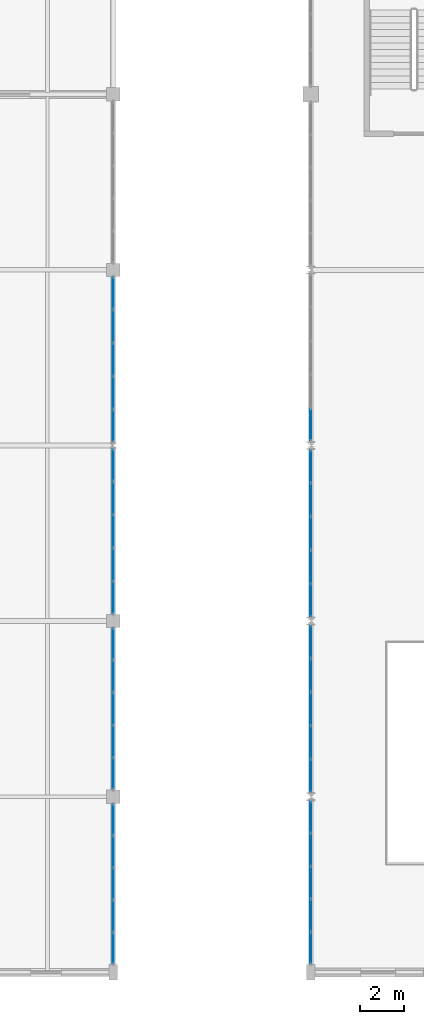
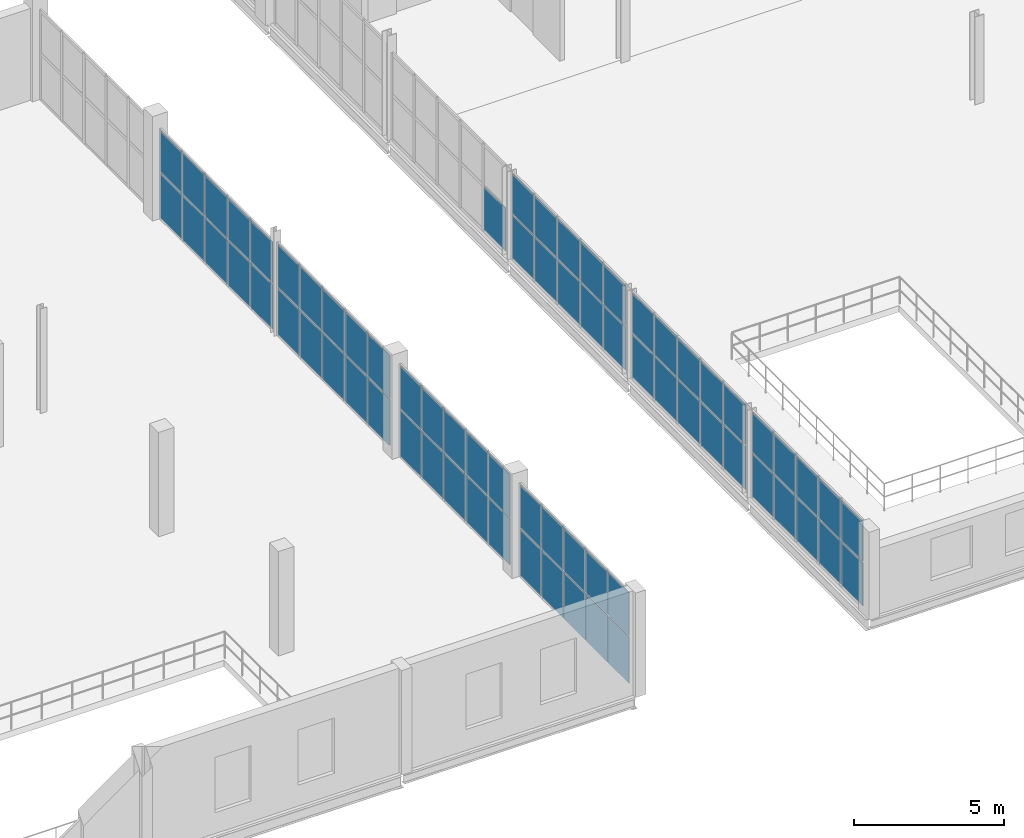
# One storey, part 45 of 73: 71 plates, 8 elements without a shape of their own.
"""IFC4 building model written with IfcOpenShell, lengths in metres."""

from ifc_helpers import new_model, si_unit, direction, frame, origin, origin_2d, place, context, subcontext, project, spatial, rectangle, extrude, material, layer, layer_set, type_object, element, aggregate, save


model = new_model("IFC4")

# Units and contexts
model_context = context("Model", 3, precision=1e-05, world=origin(), true_north=direction((0.0, 1.0)))
body_context = subcontext(model_context, "Body", "Model", "MODEL_VIEW")
ifc_project = project(units=[si_unit("LENGTHUNIT", "METRE"), si_unit("AREAUNIT", "SQUARE_METRE"), si_unit("VOLUMEUNIT", "CUBIC_METRE"), si_unit("PLANEANGLEUNIT", "RADIAN"), si_unit("MASSUNIT", "GRAM", prefix="KILO")], contexts=[model_context])

# Site, building, storey
site_placement = place(None, origin())
site = spatial("IfcSite", under=ifc_project, at=site_placement, CompositionType="ELEMENT")
building_placement = place(site_placement, origin())
building = spatial("IfcBuilding", under=site, at=building_placement, Name="Marnock Terrace Opera House", CompositionType="ELEMENT")
storey_placement = place(building_placement, frame((0.0, 0.0, 14.699951171875)))
storey = spatial("IfcBuildingStorey", under=building, at=storey_placement, Name="L03", CompositionType="ELEMENT", Elevation=14.699951171875)

# Curtain wall, plates
ifc_material_1 = material(Name="Anodised architectural bronze aluminium framing", Category="aluminium")
ifc_layer_1 = layer(ifc_material_1, 0.159912109375)
ifc_layer_set_1 = layer_set([ifc_layer_1], Name="Anodised architectural bronze aluminium framing")
curtain_wall_type_1 = type_object("IfcCurtainWallType", Name="CW-FOYER-80x42", PredefinedType="NOTDEFINED", material=ifc_layer_set_1)
curtain_wall_1_placement = place(storey_placement, origin())
curtain_wall_1 = element("IfcCurtainWall", 1, at=curtain_wall_1_placement, inside=storey, type_object=curtain_wall_type_1, Name="L03 glazed Beaux-Arts colonnade curtain wall CW-V1W-L03-01", PredefinedType="NOTDEFINED")
ifc_material_2 = material(Name="Double-glazed acoustic low-E laminated glass", Category="glass")
ifc_layer_2 = layer(ifc_material_2, 0.028076171875)
ifc_layer_set_2 = layer_set([ifc_layer_2], Name="Double-glazed acoustic low-E laminated glass")
plate_type = type_object("IfcPlateType", Name="CWP-GLZ-28", PredefinedType="CURTAIN_PANEL", material=ifc_layer_set_2)
plate_1_placement = place(storey_placement, frame((55.0, 9.109375, 0.06005859375), z_axis=(0.0, 0.0, 1.0), x_axis=(0.0, 1.0, 0.0)))
plate_1 = element("IfcPlate", 2, at=plate_1_placement, type_object=plate_type, Name="CW-62 panel 1.1", PredefinedType="CURTAIN_PANEL", context=body_context, shape_type="SweptSolid", body=[
    extrude(rectangle(XDim=1.406494140625, YDim=0.028076171875, at=origin_2d()), origin(), (0.0, 0.0, 1.0), 1.75390625),
])
plate_2_placement = place(storey_placement, frame((55.0, 9.109375, 1.8740234375), z_axis=(0.0, 0.0, 1.0), x_axis=(0.0, 1.0, 0.0)))
plate_2 = element("IfcPlate", 3, at=plate_2_placement, type_object=plate_type, Name="CW-62 panel 1.2", PredefinedType="CURTAIN_PANEL", context=body_context, shape_type="SweptSolid", body=[
    extrude(rectangle(XDim=1.406494140625, YDim=0.028076171875, at=origin_2d()), origin(), (0.0, 0.0, 1.0), 1.612060546875),
])
plate_3_placement = place(storey_placement, frame((55.0, 10.5908203125, 0.06005859375), z_axis=(0.0, 0.0, 1.0), x_axis=(0.0, 1.0, 0.0)))
plate_3 = element("IfcPlate", 4, at=plate_3_placement, type_object=plate_type, Name="CW-62 panel 2.1", PredefinedType="CURTAIN_PANEL", context=body_context, shape_type="SweptSolid", body=[
    extrude(rectangle(XDim=1.4365234375, YDim=0.028076171875, at=origin_2d()), origin(), (0.0, 0.0, 1.0), 1.75390625),
])
plate_4_placement = place(storey_placement, frame((55.0, 10.5908203125, 1.8740234375), z_axis=(0.0, 0.0, 1.0), x_axis=(0.0, 1.0, 0.0)))
plate_4 = element("IfcPlate", 5, at=plate_4_placement, type_object=plate_type, Name="CW-62 panel 2.2", PredefinedType="CURTAIN_PANEL", context=body_context, shape_type="SweptSolid", body=[
    extrude(rectangle(XDim=1.4365234375, YDim=0.028076171875, at=origin_2d()), origin(), (0.0, 0.0, 1.0), 1.612060546875),
])
plate_5_placement = place(storey_placement, frame((55.0, 12.08740234375, 0.06005859375), z_axis=(0.0, 0.0, 1.0), x_axis=(0.0, 1.0, 0.0)))
plate_5 = element("IfcPlate", 6, at=plate_5_placement, type_object=plate_type, Name="CW-62 panel 3.1", PredefinedType="CURTAIN_PANEL", context=body_context, shape_type="SweptSolid", body=[
    extrude(rectangle(XDim=1.4365234375, YDim=0.028076171875, at=origin_2d()), origin(), (0.0, 0.0, 1.0), 1.75390625),
])
plate_6_placement = place(storey_placement, frame((55.0, 12.08740234375, 1.8740234375), z_axis=(0.0, 0.0, 1.0), x_axis=(0.0, 1.0, 0.0)))
plate_6 = element("IfcPlate", 7, at=plate_6_placement, type_object=plate_type, Name="CW-62 panel 3.2", PredefinedType="CURTAIN_PANEL", context=body_context, shape_type="SweptSolid", body=[
    extrude(rectangle(XDim=1.4365234375, YDim=0.028076171875, at=origin_2d()), origin(), (0.0, 0.0, 1.0), 1.612060546875),
])
plate_7_placement = place(storey_placement, frame((55.0, 13.583984375, 0.06005859375), z_axis=(0.0, 0.0, 1.0), x_axis=(0.0, 1.0, 0.0)))
plate_7 = element("IfcPlate", 8, at=plate_7_placement, type_object=plate_type, Name="CW-62 panel 4.1", PredefinedType="CURTAIN_PANEL", context=body_context, shape_type="SweptSolid", body=[
    extrude(rectangle(XDim=1.4365234375, YDim=0.028076171875, at=origin_2d()), origin(), (0.0, 0.0, 1.0), 1.75390625),
])
plate_8_placement = place(storey_placement, frame((55.0, 13.583984375, 1.8740234375), z_axis=(0.0, 0.0, 1.0), x_axis=(0.0, 1.0, 0.0)))
plate_8 = element("IfcPlate", 9, at=plate_8_placement, type_object=plate_type, Name="CW-62 panel 4.2", PredefinedType="CURTAIN_PANEL", context=body_context, shape_type="SweptSolid", body=[
    extrude(rectangle(XDim=1.4365234375, YDim=0.028076171875, at=origin_2d()), origin(), (0.0, 0.0, 1.0), 1.612060546875),
])
plate_9_placement = place(storey_placement, frame((55.0, 15.065673828125, 0.06005859375), z_axis=(0.0, 0.0, 1.0), x_axis=(0.0, 1.0, 0.0)))
plate_9 = element("IfcPlate", 10, at=plate_9_placement, type_object=plate_type, Name="CW-62 panel 5.1", PredefinedType="CURTAIN_PANEL", context=body_context, shape_type="SweptSolid", body=[
    extrude(rectangle(XDim=1.406494140625, YDim=0.028076171875, at=origin_2d()), origin(), (0.0, 0.0, 1.0), 1.75390625),
])
plate_10_placement = place(storey_placement, frame((55.0, 15.065673828125, 1.8740234375), z_axis=(0.0, 0.0, 1.0), x_axis=(0.0, 1.0, 0.0)))
plate_10 = element("IfcPlate", 11, at=plate_10_placement, type_object=plate_type, Name="CW-62 panel 5.2", PredefinedType="CURTAIN_PANEL", context=body_context, shape_type="SweptSolid", body=[
    extrude(rectangle(XDim=1.406494140625, YDim=0.028076171875, at=origin_2d()), origin(), (0.0, 0.0, 1.0), 1.612060546875),
])
aggregate(curtain_wall_1, [plate_1, plate_2, plate_3, plate_4, plate_5, plate_6, plate_7, plate_8, plate_9, plate_10])

curtain_wall_2_placement = place(storey_placement, origin())
curtain_wall_2 = element("IfcCurtainWall", 12, at=curtain_wall_2_placement, inside=storey, type_object=curtain_wall_type_1, Name="L03 glazed Beaux-Arts colonnade curtain wall CW-V1W-L03-02", PredefinedType="NOTDEFINED")
plate_11_placement = place(storey_placement, frame((55.0, 16.951904296875, 0.06005859375), z_axis=(0.0, 0.0, 1.0), x_axis=(0.0, 1.0, 0.0)))
plate_11 = element("IfcPlate", 13, at=plate_11_placement, type_object=plate_type, Name="CW-62 panel 1.1", PredefinedType="CURTAIN_PANEL", context=body_context, shape_type="SweptSolid", body=[
    extrude(rectangle(XDim=1.441650390625, YDim=0.028076171875, at=origin_2d()), origin(), (0.0, 0.0, 1.0), 1.75390625),
])
plate_12_placement = place(storey_placement, frame((55.0, 16.951904296875, 1.8740234375), z_axis=(0.0, 0.0, 1.0), x_axis=(0.0, 1.0, 0.0)))
plate_12 = element("IfcPlate", 14, at=plate_12_placement, type_object=plate_type, Name="CW-62 panel 1.2", PredefinedType="CURTAIN_PANEL", context=body_context, shape_type="SweptSolid", body=[
    extrude(rectangle(XDim=1.441650390625, YDim=0.028076171875, at=origin_2d()), origin(), (0.0, 0.0, 1.0), 1.612060546875),
])
plate_13_placement = place(storey_placement, frame((55.0, 18.468505859375, 0.06005859375), z_axis=(0.0, 0.0, 1.0), x_axis=(0.0, 1.0, 0.0)))
plate_13 = element("IfcPlate", 15, at=plate_13_placement, type_object=plate_type, Name="CW-62 panel 2.1", PredefinedType="CURTAIN_PANEL", context=body_context, shape_type="SweptSolid", body=[
    extrude(rectangle(XDim=1.4716796875, YDim=0.028076171875, at=origin_2d()), origin(), (0.0, 0.0, 1.0), 1.75390625),
])
plate_14_placement = place(storey_placement, frame((55.0, 18.468505859375, 1.8740234375), z_axis=(0.0, 0.0, 1.0), x_axis=(0.0, 1.0, 0.0)))
plate_14 = element("IfcPlate", 16, at=plate_14_placement, type_object=plate_type, Name="CW-62 panel 2.2", PredefinedType="CURTAIN_PANEL", context=body_context, shape_type="SweptSolid", body=[
    extrude(rectangle(XDim=1.4716796875, YDim=0.028076171875, at=origin_2d()), origin(), (0.0, 0.0, 1.0), 1.612060546875),
])
plate_15_placement = place(storey_placement, frame((55.0, 20.0, 0.06005859375), z_axis=(0.0, 0.0, 1.0), x_axis=(0.0, 1.0, 0.0)))
plate_15 = element("IfcPlate", 17, at=plate_15_placement, type_object=plate_type, Name="CW-62 panel 3.1", PredefinedType="CURTAIN_PANEL", context=body_context, shape_type="SweptSolid", body=[
    extrude(rectangle(XDim=1.4716796875, YDim=0.028076171875, at=origin_2d()), origin(), (0.0, 0.0, 1.0), 1.75390625),
])
plate_16_placement = place(storey_placement, frame((55.0, 20.0, 1.8740234375), z_axis=(0.0, 0.0, 1.0), x_axis=(0.0, 1.0, 0.0)))
plate_16 = element("IfcPlate", 18, at=plate_16_placement, type_object=plate_type, Name="CW-62 panel 3.2", PredefinedType="CURTAIN_PANEL", context=body_context, shape_type="SweptSolid", body=[
    extrude(rectangle(XDim=1.4716796875, YDim=0.028076171875, at=origin_2d()), origin(), (0.0, 0.0, 1.0), 1.612060546875),
])
plate_17_placement = place(storey_placement, frame((55.0, 21.531494140625, 0.06005859375), z_axis=(0.0, 0.0, 1.0), x_axis=(0.0, 1.0, 0.0)))
plate_17 = element("IfcPlate", 19, at=plate_17_placement, type_object=plate_type, Name="CW-62 panel 4.1", PredefinedType="CURTAIN_PANEL", context=body_context, shape_type="SweptSolid", body=[
    extrude(rectangle(XDim=1.4716796875, YDim=0.028076171875, at=origin_2d()), origin(), (0.0, 0.0, 1.0), 1.75390625),
])
plate_18_placement = place(storey_placement, frame((55.0, 21.531494140625, 1.8740234375), z_axis=(0.0, 0.0, 1.0), x_axis=(0.0, 1.0, 0.0)))
plate_18 = element("IfcPlate", 20, at=plate_18_placement, type_object=plate_type, Name="CW-62 panel 4.2", PredefinedType="CURTAIN_PANEL", context=body_context, shape_type="SweptSolid", body=[
    extrude(rectangle(XDim=1.4716796875, YDim=0.028076171875, at=origin_2d()), origin(), (0.0, 0.0, 1.0), 1.612060546875),
])
plate_19_placement = place(storey_placement, frame((55.0, 23.048095703125, 0.06005859375), z_axis=(0.0, 0.0, 1.0), x_axis=(0.0, 1.0, 0.0)))
plate_19 = element("IfcPlate", 21, at=plate_19_placement, type_object=plate_type, Name="CW-62 panel 5.1", PredefinedType="CURTAIN_PANEL", context=body_context, shape_type="SweptSolid", body=[
    extrude(rectangle(XDim=1.441650390625, YDim=0.028076171875, at=origin_2d()), origin(), (0.0, 0.0, 1.0), 1.75390625),
])
plate_20_placement = place(storey_placement, frame((55.0, 23.048095703125, 1.8740234375), z_axis=(0.0, 0.0, 1.0), x_axis=(0.0, 1.0, 0.0)))
plate_20 = element("IfcPlate", 22, at=plate_20_placement, type_object=plate_type, Name="CW-62 panel 5.2", PredefinedType="CURTAIN_PANEL", context=body_context, shape_type="SweptSolid", body=[
    extrude(rectangle(XDim=1.441650390625, YDim=0.028076171875, at=origin_2d()), origin(), (0.0, 0.0, 1.0), 1.612060546875),
])
aggregate(curtain_wall_2, [plate_11, plate_12, plate_13, plate_14, plate_15, plate_16, plate_17, plate_18, plate_19, plate_20])

curtain_wall_3_placement = place(storey_placement, origin())
curtain_wall_3 = element("IfcCurtainWall", 23, at=curtain_wall_3_placement, inside=storey, type_object=curtain_wall_type_1, Name="L03 glazed Beaux-Arts colonnade curtain wall CW-V1W-L03-03", PredefinedType="NOTDEFINED")
plate_21_placement = place(storey_placement, frame((55.0, 24.951904296875, 0.06005859375), z_axis=(0.0, 0.0, 1.0), x_axis=(0.0, 1.0, 0.0)))
plate_21 = element("IfcPlate", 24, at=plate_21_placement, type_object=plate_type, Name="CW-62 panel 1.1", PredefinedType="CURTAIN_PANEL", context=body_context, shape_type="SweptSolid", body=[
    extrude(rectangle(XDim=1.441650390625, YDim=0.028076171875, at=origin_2d()), origin(), (0.0, 0.0, 1.0), 1.75390625),
])
plate_22_placement = place(storey_placement, frame((55.0, 24.951904296875, 1.8740234375), z_axis=(0.0, 0.0, 1.0), x_axis=(0.0, 1.0, 0.0)))
plate_22 = element("IfcPlate", 25, at=plate_22_placement, type_object=plate_type, Name="CW-62 panel 1.2", PredefinedType="CURTAIN_PANEL", context=body_context, shape_type="SweptSolid", body=[
    extrude(rectangle(XDim=1.441650390625, YDim=0.028076171875, at=origin_2d()), origin(), (0.0, 0.0, 1.0), 1.612060546875),
])
plate_23_placement = place(storey_placement, frame((55.0, 26.468505859375, 0.06005859375), z_axis=(0.0, 0.0, 1.0), x_axis=(0.0, 1.0, 0.0)))
plate_23 = element("IfcPlate", 26, at=plate_23_placement, type_object=plate_type, Name="CW-62 panel 2.1", PredefinedType="CURTAIN_PANEL", context=body_context, shape_type="SweptSolid", body=[
    extrude(rectangle(XDim=1.4716796875, YDim=0.028076171875, at=origin_2d()), origin(), (0.0, 0.0, 1.0), 1.75390625),
])
plate_24_placement = place(storey_placement, frame((55.0, 26.468505859375, 1.8740234375), z_axis=(0.0, 0.0, 1.0), x_axis=(0.0, 1.0, 0.0)))
plate_24 = element("IfcPlate", 27, at=plate_24_placement, type_object=plate_type, Name="CW-62 panel 2.2", PredefinedType="CURTAIN_PANEL", context=body_context, shape_type="SweptSolid", body=[
    extrude(rectangle(XDim=1.4716796875, YDim=0.028076171875, at=origin_2d()), origin(), (0.0, 0.0, 1.0), 1.612060546875),
])
plate_25_placement = place(storey_placement, frame((55.0, 28.0, 0.06005859375), z_axis=(0.0, 0.0, 1.0), x_axis=(0.0, 1.0, 0.0)))
plate_25 = element("IfcPlate", 28, at=plate_25_placement, type_object=plate_type, Name="CW-62 panel 3.1", PredefinedType="CURTAIN_PANEL", context=body_context, shape_type="SweptSolid", body=[
    extrude(rectangle(XDim=1.4716796875, YDim=0.028076171875, at=origin_2d()), origin(), (0.0, 0.0, 1.0), 1.75390625),
])
plate_26_placement = place(storey_placement, frame((55.0, 28.0, 1.8740234375), z_axis=(0.0, 0.0, 1.0), x_axis=(0.0, 1.0, 0.0)))
plate_26 = element("IfcPlate", 29, at=plate_26_placement, type_object=plate_type, Name="CW-62 panel 3.2", PredefinedType="CURTAIN_PANEL", context=body_context, shape_type="SweptSolid", body=[
    extrude(rectangle(XDim=1.4716796875, YDim=0.028076171875, at=origin_2d()), origin(), (0.0, 0.0, 1.0), 1.612060546875),
])
plate_27_placement = place(storey_placement, frame((55.0, 29.531494140625, 0.06005859375), z_axis=(0.0, 0.0, 1.0), x_axis=(0.0, 1.0, 0.0)))
plate_27 = element("IfcPlate", 30, at=plate_27_placement, type_object=plate_type, Name="CW-62 panel 4.1", PredefinedType="CURTAIN_PANEL", context=body_context, shape_type="SweptSolid", body=[
    extrude(rectangle(XDim=1.4716796875, YDim=0.028076171875, at=origin_2d()), origin(), (0.0, 0.0, 1.0), 1.75390625),
])
plate_28_placement = place(storey_placement, frame((55.0, 29.531494140625, 1.8740234375), z_axis=(0.0, 0.0, 1.0), x_axis=(0.0, 1.0, 0.0)))
plate_28 = element("IfcPlate", 31, at=plate_28_placement, type_object=plate_type, Name="CW-62 panel 4.2", PredefinedType="CURTAIN_PANEL", context=body_context, shape_type="SweptSolid", body=[
    extrude(rectangle(XDim=1.4716796875, YDim=0.028076171875, at=origin_2d()), origin(), (0.0, 0.0, 1.0), 1.612060546875),
])
plate_29_placement = place(storey_placement, frame((55.0, 31.048095703125, 0.06005859375), z_axis=(0.0, 0.0, 1.0), x_axis=(0.0, 1.0, 0.0)))
plate_29 = element("IfcPlate", 32, at=plate_29_placement, type_object=plate_type, Name="CW-62 panel 5.1", PredefinedType="CURTAIN_PANEL", context=body_context, shape_type="SweptSolid", body=[
    extrude(rectangle(XDim=1.441650390625, YDim=0.028076171875, at=origin_2d()), origin(), (0.0, 0.0, 1.0), 1.75390625),
])
plate_30_placement = place(storey_placement, frame((55.0, 31.048095703125, 1.8740234375), z_axis=(0.0, 0.0, 1.0), x_axis=(0.0, 1.0, 0.0)))
plate_30 = element("IfcPlate", 33, at=plate_30_placement, type_object=plate_type, Name="CW-62 panel 5.2", PredefinedType="CURTAIN_PANEL", context=body_context, shape_type="SweptSolid", body=[
    extrude(rectangle(XDim=1.441650390625, YDim=0.028076171875, at=origin_2d()), origin(), (0.0, 0.0, 1.0), 1.612060546875),
])
aggregate(curtain_wall_3, [plate_21, plate_22, plate_23, plate_24, plate_25, plate_26, plate_27, plate_28, plate_29, plate_30])

# Curtain wall, plate
curtain_wall_4_placement = place(storey_placement, origin())
curtain_wall_4 = element("IfcCurtainWall", 34, at=curtain_wall_4_placement, inside=storey, type_object=curtain_wall_type_1, Name="L03 glazed Beaux-Arts colonnade curtain wall CW-V1W-L03-04", PredefinedType="NOTDEFINED")
plate_31_placement = place(storey_placement, frame((55.0, 32.951904296875, 0.06005859375), z_axis=(0.0, 0.0, 1.0), x_axis=(0.0, 1.0, 0.0)))
plate_31 = element("IfcPlate", 35, at=plate_31_placement, type_object=plate_type, Name="CW-62 panel 1.1", PredefinedType="CURTAIN_PANEL", context=body_context, shape_type="SweptSolid", body=[
    extrude(rectangle(XDim=1.441650390625, YDim=0.028076171875, at=origin_2d()), origin(), (0.0, 0.0, 1.0), 1.75390625),
])
aggregate(curtain_wall_4, [plate_31])

# Curtain wall, plates
ifc_layer_3 = layer(ifc_material_1, 0.159912109375)
ifc_layer_set_3 = layer_set([ifc_layer_3], Name="Anodised architectural bronze aluminium framing")
curtain_wall_type_2 = type_object("IfcCurtainWallType", Name="CW-COURT-80x42", PredefinedType="NOTDEFINED", material=ifc_layer_set_3)
curtain_wall_5_placement = place(storey_placement, origin())
curtain_wall_5 = element("IfcCurtainWall", 36, at=curtain_wall_5_placement, inside=storey, type_object=curtain_wall_type_2, Name="L03 glazed Beaux-Arts colonnade curtain wall CW-V3E-L03-01", PredefinedType="NOTDEFINED")
plate_32_placement = place(storey_placement, frame((46.0, 9.0966796875, 0.06005859375), z_axis=(0.0, 0.0, 1.0), x_axis=(0.0, 1.0, 0.0)))
plate_32 = element("IfcPlate", 37, at=plate_32_placement, type_object=plate_type, Name="CW-12 panel 1.1", PredefinedType="CURTAIN_PANEL", context=body_context, shape_type="SweptSolid", body=[
    extrude(rectangle(XDim=1.381591796875, YDim=0.028076171875, at=origin_2d()), origin(), (0.0, 0.0, 1.0), 1.88818359375),
])
plate_33_placement = place(storey_placement, frame((46.0, 9.0966796875, 2.00830078125), z_axis=(0.0, 0.0, 1.0), x_axis=(0.0, 1.0, 0.0)))
plate_33 = element("IfcPlate", 38, at=plate_33_placement, type_object=plate_type, Name="CW-12 panel 1.2", PredefinedType="CURTAIN_PANEL", context=body_context, shape_type="SweptSolid", body=[
    extrude(rectangle(XDim=1.381591796875, YDim=0.028076171875, at=origin_2d()), origin(), (0.0, 0.0, 1.0), 1.736083984375),
])
plate_34_placement = place(storey_placement, frame((46.0, 10.553466796875, 0.06005859375), z_axis=(0.0, 0.0, 1.0), x_axis=(0.0, 1.0, 0.0)))
plate_34 = element("IfcPlate", 39, at=plate_34_placement, type_object=plate_type, Name="CW-12 panel 2.1", PredefinedType="CURTAIN_PANEL", context=body_context, shape_type="SweptSolid", body=[
    extrude(rectangle(XDim=1.41162109375, YDim=0.028076171875, at=origin_2d()), origin(), (0.0, 0.0, 1.0), 1.88818359375),
])
plate_35_placement = place(storey_placement, frame((46.0, 10.553466796875, 2.00830078125), z_axis=(0.0, 0.0, 1.0), x_axis=(0.0, 1.0, 0.0)))
plate_35 = element("IfcPlate", 40, at=plate_35_placement, type_object=plate_type, Name="CW-12 panel 2.2", PredefinedType="CURTAIN_PANEL", context=body_context, shape_type="SweptSolid", body=[
    extrude(rectangle(XDim=1.41162109375, YDim=0.028076171875, at=origin_2d()), origin(), (0.0, 0.0, 1.0), 1.736083984375),
])
plate_36_placement = place(storey_placement, frame((46.0, 12.02490234375, 0.06005859375), z_axis=(0.0, 0.0, 1.0), x_axis=(0.0, 1.0, 0.0)))
plate_36 = element("IfcPlate", 41, at=plate_36_placement, type_object=plate_type, Name="CW-12 panel 3.1", PredefinedType="CURTAIN_PANEL", context=body_context, shape_type="SweptSolid", body=[
    extrude(rectangle(XDim=1.41162109375, YDim=0.028076171875, at=origin_2d()), origin(), (0.0, 0.0, 1.0), 1.88818359375),
])
plate_37_placement = place(storey_placement, frame((46.0, 12.02490234375, 2.00830078125), z_axis=(0.0, 0.0, 1.0), x_axis=(0.0, 1.0, 0.0)))
plate_37 = element("IfcPlate", 42, at=plate_37_placement, type_object=plate_type, Name="CW-12 panel 3.2", PredefinedType="CURTAIN_PANEL", context=body_context, shape_type="SweptSolid", body=[
    extrude(rectangle(XDim=1.41162109375, YDim=0.028076171875, at=origin_2d()), origin(), (0.0, 0.0, 1.0), 1.736083984375),
])
plate_38_placement = place(storey_placement, frame((46.0, 13.49658203125, 0.06005859375), z_axis=(0.0, 0.0, 1.0), x_axis=(0.0, 1.0, 0.0)))
plate_38 = element("IfcPlate", 43, at=plate_38_placement, type_object=plate_type, Name="CW-12 panel 4.1", PredefinedType="CURTAIN_PANEL", context=body_context, shape_type="SweptSolid", body=[
    extrude(rectangle(XDim=1.41162109375, YDim=0.028076171875, at=origin_2d()), origin(), (0.0, 0.0, 1.0), 1.88818359375),
])
plate_39_placement = place(storey_placement, frame((46.0, 13.49658203125, 2.00830078125), z_axis=(0.0, 0.0, 1.0), x_axis=(0.0, 1.0, 0.0)))
plate_39 = element("IfcPlate", 44, at=plate_39_placement, type_object=plate_type, Name="CW-12 panel 4.2", PredefinedType="CURTAIN_PANEL", context=body_context, shape_type="SweptSolid", body=[
    extrude(rectangle(XDim=1.41162109375, YDim=0.028076171875, at=origin_2d()), origin(), (0.0, 0.0, 1.0), 1.736083984375),
])
plate_40_placement = place(storey_placement, frame((46.0, 14.953125, 0.06005859375), z_axis=(0.0, 0.0, 1.0), x_axis=(0.0, 1.0, 0.0)))
plate_40 = element("IfcPlate", 45, at=plate_40_placement, type_object=plate_type, Name="CW-12 panel 5.1", PredefinedType="CURTAIN_PANEL", context=body_context, shape_type="SweptSolid", body=[
    extrude(rectangle(XDim=1.381591796875, YDim=0.028076171875, at=origin_2d()), origin(), (0.0, 0.0, 1.0), 1.88818359375),
])
plate_41_placement = place(storey_placement, frame((46.0, 14.953125, 2.00830078125), z_axis=(0.0, 0.0, 1.0), x_axis=(0.0, 1.0, 0.0)))
plate_41 = element("IfcPlate", 46, at=plate_41_placement, type_object=plate_type, Name="CW-12 panel 5.2", PredefinedType="CURTAIN_PANEL", context=body_context, shape_type="SweptSolid", body=[
    extrude(rectangle(XDim=1.381591796875, YDim=0.028076171875, at=origin_2d()), origin(), (0.0, 0.0, 1.0), 1.736083984375),
])
aggregate(curtain_wall_5, [plate_32, plate_33, plate_34, plate_35, plate_36, plate_37, plate_38, plate_39, plate_40, plate_41])

curtain_wall_6_placement = place(storey_placement, origin())
curtain_wall_6 = element("IfcCurtainWall", 47, at=curtain_wall_6_placement, inside=storey, type_object=curtain_wall_type_2, Name="L03 glazed Beaux-Arts colonnade curtain wall CW-V3E-L03-02", PredefinedType="NOTDEFINED")
plate_42_placement = place(storey_placement, frame((46.0, 17.0517578125, 0.06005859375), z_axis=(0.0, 0.0, 1.0), x_axis=(0.0, 1.0, 0.0)))
plate_42 = element("IfcPlate", 48, at=plate_42_placement, type_object=plate_type, Name="CW-12 panel 1.1", PredefinedType="CURTAIN_PANEL", context=body_context, shape_type="SweptSolid", body=[
    extrude(rectangle(XDim=1.3916015625, YDim=0.028076171875, at=origin_2d()), origin(), (0.0, 0.0, 1.0), 1.88818359375),
])
plate_43_placement = place(storey_placement, frame((46.0, 17.0517578125, 2.00830078125), z_axis=(0.0, 0.0, 1.0), x_axis=(0.0, 1.0, 0.0)))
plate_43 = element("IfcPlate", 49, at=plate_43_placement, type_object=plate_type, Name="CW-12 panel 1.2", PredefinedType="CURTAIN_PANEL", context=body_context, shape_type="SweptSolid", body=[
    extrude(rectangle(XDim=1.3916015625, YDim=0.028076171875, at=origin_2d()), origin(), (0.0, 0.0, 1.0), 1.736083984375),
])
plate_44_placement = place(storey_placement, frame((46.0, 18.518310546875, 0.06005859375), z_axis=(0.0, 0.0, 1.0), x_axis=(0.0, 1.0, 0.0)))
plate_44 = element("IfcPlate", 50, at=plate_44_placement, type_object=plate_type, Name="CW-12 panel 2.1", PredefinedType="CURTAIN_PANEL", context=body_context, shape_type="SweptSolid", body=[
    extrude(rectangle(XDim=1.421630859375, YDim=0.028076171875, at=origin_2d()), origin(), (0.0, 0.0, 1.0), 1.88818359375),
])
plate_45_placement = place(storey_placement, frame((46.0, 18.518310546875, 2.00830078125), z_axis=(0.0, 0.0, 1.0), x_axis=(0.0, 1.0, 0.0)))
plate_45 = element("IfcPlate", 51, at=plate_45_placement, type_object=plate_type, Name="CW-12 panel 2.2", PredefinedType="CURTAIN_PANEL", context=body_context, shape_type="SweptSolid", body=[
    extrude(rectangle(XDim=1.421630859375, YDim=0.028076171875, at=origin_2d()), origin(), (0.0, 0.0, 1.0), 1.736083984375),
])
plate_46_placement = place(storey_placement, frame((46.0, 20.0, 0.06005859375), z_axis=(0.0, 0.0, 1.0), x_axis=(0.0, 1.0, 0.0)))
plate_46 = element("IfcPlate", 52, at=plate_46_placement, type_object=plate_type, Name="CW-12 panel 3.1", PredefinedType="CURTAIN_PANEL", context=body_context, shape_type="SweptSolid", body=[
    extrude(rectangle(XDim=1.421630859375, YDim=0.028076171875, at=origin_2d()), origin(), (0.0, 0.0, 1.0), 1.88818359375),
])
plate_47_placement = place(storey_placement, frame((46.0, 20.0, 2.00830078125), z_axis=(0.0, 0.0, 1.0), x_axis=(0.0, 1.0, 0.0)))
plate_47 = element("IfcPlate", 53, at=plate_47_placement, type_object=plate_type, Name="CW-12 panel 3.2", PredefinedType="CURTAIN_PANEL", context=body_context, shape_type="SweptSolid", body=[
    extrude(rectangle(XDim=1.421630859375, YDim=0.028076171875, at=origin_2d()), origin(), (0.0, 0.0, 1.0), 1.736083984375),
])
plate_48_placement = place(storey_placement, frame((46.0, 21.481689453125, 0.06005859375), z_axis=(0.0, 0.0, 1.0), x_axis=(0.0, 1.0, 0.0)))
plate_48 = element("IfcPlate", 54, at=plate_48_placement, type_object=plate_type, Name="CW-12 panel 4.1", PredefinedType="CURTAIN_PANEL", context=body_context, shape_type="SweptSolid", body=[
    extrude(rectangle(XDim=1.421630859375, YDim=0.028076171875, at=origin_2d()), origin(), (0.0, 0.0, 1.0), 1.88818359375),
])
plate_49_placement = place(storey_placement, frame((46.0, 21.481689453125, 2.00830078125), z_axis=(0.0, 0.0, 1.0), x_axis=(0.0, 1.0, 0.0)))
plate_49 = element("IfcPlate", 55, at=plate_49_placement, type_object=plate_type, Name="CW-12 panel 4.2", PredefinedType="CURTAIN_PANEL", context=body_context, shape_type="SweptSolid", body=[
    extrude(rectangle(XDim=1.421630859375, YDim=0.028076171875, at=origin_2d()), origin(), (0.0, 0.0, 1.0), 1.736083984375),
])
plate_50_placement = place(storey_placement, frame((46.0, 22.9482421875, 0.06005859375), z_axis=(0.0, 0.0, 1.0), x_axis=(0.0, 1.0, 0.0)))
plate_50 = element("IfcPlate", 56, at=plate_50_placement, type_object=plate_type, Name="CW-12 panel 5.1", PredefinedType="CURTAIN_PANEL", context=body_context, shape_type="SweptSolid", body=[
    extrude(rectangle(XDim=1.3916015625, YDim=0.028076171875, at=origin_2d()), origin(), (0.0, 0.0, 1.0), 1.88818359375),
])
plate_51_placement = place(storey_placement, frame((46.0, 22.9482421875, 2.00830078125), z_axis=(0.0, 0.0, 1.0), x_axis=(0.0, 1.0, 0.0)))
plate_51 = element("IfcPlate", 57, at=plate_51_placement, type_object=plate_type, Name="CW-12 panel 5.2", PredefinedType="CURTAIN_PANEL", context=body_context, shape_type="SweptSolid", body=[
    extrude(rectangle(XDim=1.3916015625, YDim=0.028076171875, at=origin_2d()), origin(), (0.0, 0.0, 1.0), 1.736083984375),
])
aggregate(curtain_wall_6, [plate_42, plate_43, plate_44, plate_45, plate_46, plate_47, plate_48, plate_49, plate_50, plate_51])

curtain_wall_7_placement = place(storey_placement, origin())
curtain_wall_7 = element("IfcCurtainWall", 58, at=curtain_wall_7_placement, inside=storey, type_object=curtain_wall_type_2, Name="L03 glazed Beaux-Arts colonnade curtain wall CW-V3E-L03-03", PredefinedType="NOTDEFINED")
plate_52_placement = place(storey_placement, frame((46.0, 25.06884765625, 0.06005859375), z_axis=(0.0, 0.0, 1.0), x_axis=(0.0, 1.0, 0.0)))
plate_52 = element("IfcPlate", 59, at=plate_52_placement, type_object=plate_type, Name="CW-12 panel 1.1", PredefinedType="CURTAIN_PANEL", context=body_context, shape_type="SweptSolid", body=[
    extrude(rectangle(XDim=1.425537109375, YDim=0.028076171875, at=origin_2d()), origin(), (0.0, 0.0, 1.0), 1.88818359375),
])
plate_53_placement = place(storey_placement, frame((46.0, 25.06884765625, 2.00830078125), z_axis=(0.0, 0.0, 1.0), x_axis=(0.0, 1.0, 0.0)))
plate_53 = element("IfcPlate", 60, at=plate_53_placement, type_object=plate_type, Name="CW-12 panel 1.2", PredefinedType="CURTAIN_PANEL", context=body_context, shape_type="SweptSolid", body=[
    extrude(rectangle(XDim=1.425537109375, YDim=0.028076171875, at=origin_2d()), origin(), (0.0, 0.0, 1.0), 1.736083984375),
])
plate_54_placement = place(storey_placement, frame((46.0, 26.5693359375, 0.06005859375), z_axis=(0.0, 0.0, 1.0), x_axis=(0.0, 1.0, 0.0)))
plate_54 = element("IfcPlate", 61, at=plate_54_placement, type_object=plate_type, Name="CW-12 panel 2.1", PredefinedType="CURTAIN_PANEL", context=body_context, shape_type="SweptSolid", body=[
    extrude(rectangle(XDim=1.45556640625, YDim=0.028076171875, at=origin_2d()), origin(), (0.0, 0.0, 1.0), 1.88818359375),
])
plate_55_placement = place(storey_placement, frame((46.0, 26.5693359375, 2.00830078125), z_axis=(0.0, 0.0, 1.0), x_axis=(0.0, 1.0, 0.0)))
plate_55 = element("IfcPlate", 62, at=plate_55_placement, type_object=plate_type, Name="CW-12 panel 2.2", PredefinedType="CURTAIN_PANEL", context=body_context, shape_type="SweptSolid", body=[
    extrude(rectangle(XDim=1.45556640625, YDim=0.028076171875, at=origin_2d()), origin(), (0.0, 0.0, 1.0), 1.736083984375),
])
plate_56_placement = place(storey_placement, frame((46.0, 28.0849609375, 0.06005859375), z_axis=(0.0, 0.0, 1.0), x_axis=(0.0, 1.0, 0.0)))
plate_56 = element("IfcPlate", 63, at=plate_56_placement, type_object=plate_type, Name="CW-12 panel 3.1", PredefinedType="CURTAIN_PANEL", context=body_context, shape_type="SweptSolid", body=[
    extrude(rectangle(XDim=1.45556640625, YDim=0.028076171875, at=origin_2d()), origin(), (0.0, 0.0, 1.0), 1.88818359375),
])
plate_57_placement = place(storey_placement, frame((46.0, 28.0849609375, 2.00830078125), z_axis=(0.0, 0.0, 1.0), x_axis=(0.0, 1.0, 0.0)))
plate_57 = element("IfcPlate", 64, at=plate_57_placement, type_object=plate_type, Name="CW-12 panel 3.2", PredefinedType="CURTAIN_PANEL", context=body_context, shape_type="SweptSolid", body=[
    extrude(rectangle(XDim=1.45556640625, YDim=0.028076171875, at=origin_2d()), origin(), (0.0, 0.0, 1.0), 1.736083984375),
])
plate_58_placement = place(storey_placement, frame((46.0, 29.6005859375, 0.06005859375), z_axis=(0.0, 0.0, 1.0), x_axis=(0.0, 1.0, 0.0)))
plate_58 = element("IfcPlate", 65, at=plate_58_placement, type_object=plate_type, Name="CW-12 panel 4.1", PredefinedType="CURTAIN_PANEL", context=body_context, shape_type="SweptSolid", body=[
    extrude(rectangle(XDim=1.45556640625, YDim=0.028076171875, at=origin_2d()), origin(), (0.0, 0.0, 1.0), 1.88818359375),
])
plate_59_placement = place(storey_placement, frame((46.0, 29.6005859375, 2.00830078125), z_axis=(0.0, 0.0, 1.0), x_axis=(0.0, 1.0, 0.0)))
plate_59 = element("IfcPlate", 66, at=plate_59_placement, type_object=plate_type, Name="CW-12 panel 4.2", PredefinedType="CURTAIN_PANEL", context=body_context, shape_type="SweptSolid", body=[
    extrude(rectangle(XDim=1.45556640625, YDim=0.028076171875, at=origin_2d()), origin(), (0.0, 0.0, 1.0), 1.736083984375),
])
plate_60_placement = place(storey_placement, frame((46.0, 31.101318359375, 0.06005859375), z_axis=(0.0, 0.0, 1.0), x_axis=(0.0, 1.0, 0.0)))
plate_60 = element("IfcPlate", 67, at=plate_60_placement, type_object=plate_type, Name="CW-12 panel 5.1", PredefinedType="CURTAIN_PANEL", context=body_context, shape_type="SweptSolid", body=[
    extrude(rectangle(XDim=1.425537109375, YDim=0.028076171875, at=origin_2d()), origin(), (0.0, 0.0, 1.0), 1.88818359375),
])
plate_61_placement = place(storey_placement, frame((46.0, 31.101318359375, 2.00830078125), z_axis=(0.0, 0.0, 1.0), x_axis=(0.0, 1.0, 0.0)))
plate_61 = element("IfcPlate", 68, at=plate_61_placement, type_object=plate_type, Name="CW-12 panel 5.2", PredefinedType="CURTAIN_PANEL", context=body_context, shape_type="SweptSolid", body=[
    extrude(rectangle(XDim=1.425537109375, YDim=0.028076171875, at=origin_2d()), origin(), (0.0, 0.0, 1.0), 1.736083984375),
])
aggregate(curtain_wall_7, [plate_52, plate_53, plate_54, plate_55, plate_56, plate_57, plate_58, plate_59, plate_60, plate_61])

curtain_wall_8_placement = place(storey_placement, origin())
curtain_wall_8 = element("IfcCurtainWall", 69, at=curtain_wall_8_placement, inside=storey, type_object=curtain_wall_type_2, Name="L03 glazed Beaux-Arts colonnade curtain wall CW-V3E-L03-04", PredefinedType="NOTDEFINED")
plate_62_placement = place(storey_placement, frame((46.0, 32.898681640625, 0.06005859375), z_axis=(0.0, 0.0, 1.0), x_axis=(0.0, 1.0, 0.0)))
plate_62 = element("IfcPlate", 70, at=plate_62_placement, type_object=plate_type, Name="CW-12 panel 1.1", PredefinedType="CURTAIN_PANEL", context=body_context, shape_type="SweptSolid", body=[
    extrude(rectangle(XDim=1.425537109375, YDim=0.028076171875, at=origin_2d()), origin(), (0.0, 0.0, 1.0), 1.8193359375),
])
plate_63_placement = place(storey_placement, frame((46.0, 32.898681640625, 1.939453125), z_axis=(0.0, 0.0, 1.0), x_axis=(0.0, 1.0, 0.0)))
plate_63 = element("IfcPlate", 71, at=plate_63_placement, type_object=plate_type, Name="CW-12 panel 1.2", PredefinedType="CURTAIN_PANEL", context=body_context, shape_type="SweptSolid", body=[
    extrude(rectangle(XDim=1.425537109375, YDim=0.028076171875, at=origin_2d()), origin(), (0.0, 0.0, 1.0), 1.672607421875),
])
plate_64_placement = place(storey_placement, frame((46.0, 34.3994140625, 0.06005859375), z_axis=(0.0, 0.0, 1.0), x_axis=(0.0, 1.0, 0.0)))
plate_64 = element("IfcPlate", 72, at=plate_64_placement, type_object=plate_type, Name="CW-12 panel 2.1", PredefinedType="CURTAIN_PANEL", context=body_context, shape_type="SweptSolid", body=[
    extrude(rectangle(XDim=1.45556640625, YDim=0.028076171875, at=origin_2d()), origin(), (0.0, 0.0, 1.0), 1.8193359375),
])
plate_65_placement = place(storey_placement, frame((46.0, 34.3994140625, 1.939453125), z_axis=(0.0, 0.0, 1.0), x_axis=(0.0, 1.0, 0.0)))
plate_65 = element("IfcPlate", 73, at=plate_65_placement, type_object=plate_type, Name="CW-12 panel 2.2", PredefinedType="CURTAIN_PANEL", context=body_context, shape_type="SweptSolid", body=[
    extrude(rectangle(XDim=1.45556640625, YDim=0.028076171875, at=origin_2d()), origin(), (0.0, 0.0, 1.0), 1.672607421875),
])
plate_66_placement = place(storey_placement, frame((46.0, 35.9150390625, 0.06005859375), z_axis=(0.0, 0.0, 1.0), x_axis=(0.0, 1.0, 0.0)))
plate_66 = element("IfcPlate", 74, at=plate_66_placement, type_object=plate_type, Name="CW-12 panel 3.1", PredefinedType="CURTAIN_PANEL", context=body_context, shape_type="SweptSolid", body=[
    extrude(rectangle(XDim=1.45556640625, YDim=0.028076171875, at=origin_2d()), origin(), (0.0, 0.0, 1.0), 1.8193359375),
])
plate_67_placement = place(storey_placement, frame((46.0, 35.9150390625, 1.939453125), z_axis=(0.0, 0.0, 1.0), x_axis=(0.0, 1.0, 0.0)))
plate_67 = element("IfcPlate", 75, at=plate_67_placement, type_object=plate_type, Name="CW-12 panel 3.2", PredefinedType="CURTAIN_PANEL", context=body_context, shape_type="SweptSolid", body=[
    extrude(rectangle(XDim=1.45556640625, YDim=0.028076171875, at=origin_2d()), origin(), (0.0, 0.0, 1.0), 1.672607421875),
])
plate_68_placement = place(storey_placement, frame((46.0, 37.4306640625, 0.06005859375), z_axis=(0.0, 0.0, 1.0), x_axis=(0.0, 1.0, 0.0)))
plate_68 = element("IfcPlate", 76, at=plate_68_placement, type_object=plate_type, Name="CW-12 panel 4.1", PredefinedType="CURTAIN_PANEL", context=body_context, shape_type="SweptSolid", body=[
    extrude(rectangle(XDim=1.45556640625, YDim=0.028076171875, at=origin_2d()), origin(), (0.0, 0.0, 1.0), 1.8193359375),
])
plate_69_placement = place(storey_placement, frame((46.0, 37.4306640625, 1.939453125), z_axis=(0.0, 0.0, 1.0), x_axis=(0.0, 1.0, 0.0)))
plate_69 = element("IfcPlate", 77, at=plate_69_placement, type_object=plate_type, Name="CW-12 panel 4.2", PredefinedType="CURTAIN_PANEL", context=body_context, shape_type="SweptSolid", body=[
    extrude(rectangle(XDim=1.45556640625, YDim=0.028076171875, at=origin_2d()), origin(), (0.0, 0.0, 1.0), 1.672607421875),
])
plate_70_placement = place(storey_placement, frame((46.0, 38.93115234375, 0.06005859375), z_axis=(0.0, 0.0, 1.0), x_axis=(0.0, 1.0, 0.0)))
plate_70 = element("IfcPlate", 78, at=plate_70_placement, type_object=plate_type, Name="CW-12 panel 5.1", PredefinedType="CURTAIN_PANEL", context=body_context, shape_type="SweptSolid", body=[
    extrude(rectangle(XDim=1.425537109375, YDim=0.028076171875, at=origin_2d()), origin(), (0.0, 0.0, 1.0), 1.8193359375),
])
plate_71_placement = place(storey_placement, frame((46.0, 38.93115234375, 1.939453125), z_axis=(0.0, 0.0, 1.0), x_axis=(0.0, 1.0, 0.0)))
plate_71 = element("IfcPlate", 79, at=plate_71_placement, type_object=plate_type, Name="CW-12 panel 5.2", PredefinedType="CURTAIN_PANEL", context=body_context, shape_type="SweptSolid", body=[
    extrude(rectangle(XDim=1.425537109375, YDim=0.028076171875, at=origin_2d()), origin(), (0.0, 0.0, 1.0), 1.672607421875),
])
aggregate(curtain_wall_8, [plate_62, plate_63, plate_64, plate_65, plate_66, plate_67, plate_68, plate_69, plate_70, plate_71])

save(model, "model.ifc")
